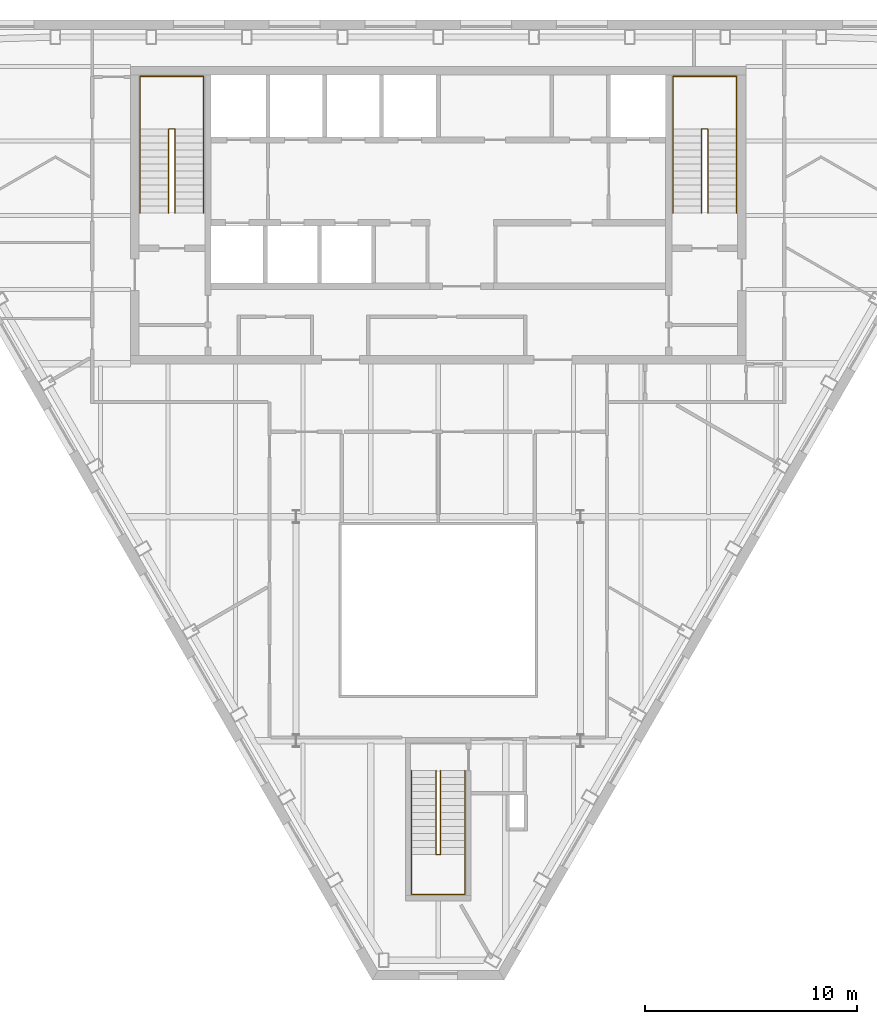
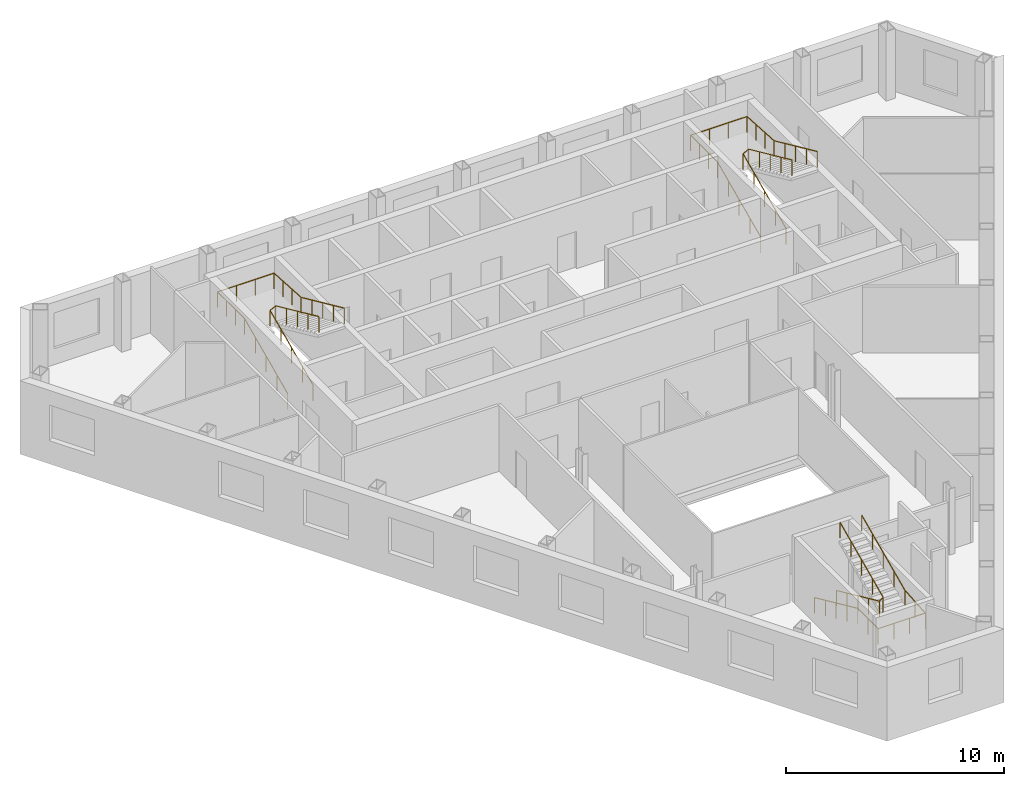
# One storey, part 10 of 10: 6 railings.
"""IFC4 building model written with IfcOpenShell, lengths in metres."""

from ifc_helpers import new_model, si_unit, direction, frame, origin, origin_2d, place, context, subcontext, project, spatial, circle, extrude, material, type_object, element, save


model = new_model("IFC4")

# Units and contexts
model_context = context("Model", 3, precision=1e-05, world=origin(), true_north=direction((0.0, 1.0)))
body_context = subcontext(model_context, "Body", "Model", "MODEL_VIEW")
ifc_project = project(units=[si_unit("LENGTHUNIT", "METRE"), si_unit("AREAUNIT", "SQUARE_METRE"), si_unit("VOLUMEUNIT", "CUBIC_METRE"), si_unit("PLANEANGLEUNIT", "RADIAN"), si_unit("MASSUNIT", "GRAM", prefix="KILO")], contexts=[model_context])

# Site, building, storey
site_placement = place(None, origin())
site = spatial("IfcSite", under=ifc_project, at=site_placement, CompositionType="ELEMENT")
building_placement = place(site_placement, origin())
building = spatial("IfcBuilding", under=site, at=building_placement, Name="Njiva Tower", CompositionType="ELEMENT")
storey_placement = place(building_placement, frame((0.0, 0.0, 253.2)))
storey = spatial("IfcBuildingStorey", under=building, at=storey_placement, Name="L57", CompositionType="ELEMENT", Elevation=253.2)

# Railings
ifc_material = material(Name="Stainless steel", Category="steel")
railing_type = type_object("IfcRailingType", Name="RL1 Stair handrail 900", PredefinedType="HANDRAIL", material=ifc_material)
railing_1_placement = place(storey_placement, frame((-14.05, 11.1, 0.15)))
element("IfcRailing", 1, at=railing_1_placement, inside=storey, type_object=railing_type, Name="Stair A handrail", PredefinedType="HANDRAIL", context=body_context, shape_type="SweptSolid", body=[
    extrude(circle(Radius=0.024, at=origin_2d()), frame((0.0, 0.0, 0.876), z_axis=(0.0, 0.910366477463, 0.413802944301), x_axis=(-1.0, 0.0, 0.0)), (0.0, 0.0, 1.0), 4.3499),
    extrude(circle(Radius=0.024, at=origin_2d()), frame((0.0, 3.96, 2.676), z_axis=(0.0, 1.0, 0.0), x_axis=(-1.0, 0.0, 0.0)), (0.0, 0.0, 1.0), 2.49),
    extrude(circle(Radius=0.024, at=origin_2d()), frame((0.0, 6.45, 2.676), z_axis=(1.0, 0.0, 0.0), x_axis=(0.0, 1.0, 0.0)), (0.0, 0.0, 1.0), 3.0),
    extrude(circle(Radius=0.024, at=origin_2d()), frame((3.0, 6.45, 2.676), z_axis=(0.0, -0.998190436793, 0.060131954024), x_axis=(1.0, 0.0, 0.0)), (0.0, 0.0, 1.0), 2.4945),
    extrude(circle(Radius=0.024, at=origin_2d()), frame((3.0, 3.96, 2.826), z_axis=(0.0, -0.910366477463, 0.413802944301), x_axis=(1.0, 0.0, 0.0)), (0.0, 0.0, 1.0), 4.3499),
    extrude(circle(Radius=0.021, at=origin_2d()), origin(), (0.0, 0.0, 1.0), 0.852),
    extrude(circle(Radius=0.021, at=origin_2d()), frame((0.0, 0.99, 0.45)), (0.0, 0.0, 1.0), 0.852),
    extrude(circle(Radius=0.021, at=origin_2d()), frame((0.0, 1.98, 0.9)), (0.0, 0.0, 1.0), 0.852),
    extrude(circle(Radius=0.021, at=origin_2d()), frame((0.0, 2.97, 1.35)), (0.0, 0.0, 1.0), 0.852),
    extrude(circle(Radius=0.021, at=origin_2d()), frame((0.0, 3.96, 1.8)), (0.0, 0.0, 1.0), 0.852),
    extrude(circle(Radius=0.021, at=origin_2d()), frame((0.0, 4.79, 1.8)), (0.0, 0.0, 1.0), 0.852),
    extrude(circle(Radius=0.021, at=origin_2d()), frame((0.0, 5.62, 1.8)), (0.0, 0.0, 1.0), 0.852),
    extrude(circle(Radius=0.021, at=origin_2d()), frame((0.0, 6.45, 1.8)), (0.0, 0.0, 1.0), 0.852),
    extrude(circle(Radius=0.021, at=origin_2d()), frame((1.0, 6.45, 1.8)), (0.0, 0.0, 1.0), 0.852),
    extrude(circle(Radius=0.021, at=origin_2d()), frame((2.0, 6.45, 1.8)), (0.0, 0.0, 1.0), 0.852),
    extrude(circle(Radius=0.021, at=origin_2d()), frame((3.0, 6.45, 1.8)), (0.0, 0.0, 1.0), 0.852),
    extrude(circle(Radius=0.021, at=origin_2d()), frame((3.0, 5.62, 1.85)), (0.0, 0.0, 1.0), 0.852),
    extrude(circle(Radius=0.021, at=origin_2d()), frame((3.0, 4.79, 1.9)), (0.0, 0.0, 1.0), 0.852),
    extrude(circle(Radius=0.021, at=origin_2d()), frame((3.0, 3.96, 1.95)), (0.0, 0.0, 1.0), 0.852),
    extrude(circle(Radius=0.021, at=origin_2d()), frame((3.0, 2.97, 2.4)), (0.0, 0.0, 1.0), 0.852),
    extrude(circle(Radius=0.021, at=origin_2d()), frame((3.0, 1.98, 2.85)), (0.0, 0.0, 1.0), 0.852),
    extrude(circle(Radius=0.021, at=origin_2d()), frame((3.0, 0.99, 3.3)), (0.0, 0.0, 1.0), 0.852),
    extrude(circle(Radius=0.021, at=origin_2d()), frame((3.0, 0.0, 3.75)), (0.0, 0.0, 1.0), 0.852),
])
railing_2_placement = place(storey_placement, frame((-12.7, 11.1, 0.15)))
element("IfcRailing", 2, at=railing_2_placement, inside=storey, type_object=railing_type, Name="Stair A handrail", PredefinedType="HANDRAIL", context=body_context, shape_type="SweptSolid", body=[
    extrude(circle(Radius=0.024, at=origin_2d()), frame((0.0, 0.0, 0.876), z_axis=(0.0, 0.910366477463, 0.413802944301), x_axis=(-1.0, 0.0, 0.0)), (0.0, 0.0, 1.0), 4.3499),
    extrude(circle(Radius=0.024, at=origin_2d()), frame((0.0, 3.96, 2.676), z_axis=(0.894427191, 0.0, 0.4472135955), x_axis=(0.0, 1.0, 0.0)), (0.0, 0.0, 1.0), 0.3354),
    extrude(circle(Radius=0.024, at=origin_2d()), frame((0.3, 3.96, 2.826), z_axis=(0.0, -0.910366477463, 0.413802944301), x_axis=(1.0, 0.0, 0.0)), (0.0, 0.0, 1.0), 4.3499),
    extrude(circle(Radius=0.021, at=origin_2d()), origin(), (0.0, 0.0, 1.0), 0.852),
    extrude(circle(Radius=0.021, at=origin_2d()), frame((0.0, 0.99, 0.45)), (0.0, 0.0, 1.0), 0.852),
    extrude(circle(Radius=0.021, at=origin_2d()), frame((0.0, 1.98, 0.9)), (0.0, 0.0, 1.0), 0.852),
    extrude(circle(Radius=0.021, at=origin_2d()), frame((0.0, 2.97, 1.35)), (0.0, 0.0, 1.0), 0.852),
    extrude(circle(Radius=0.021, at=origin_2d()), frame((0.0, 3.96, 1.8)), (0.0, 0.0, 1.0), 0.852),
    extrude(circle(Radius=0.021, at=origin_2d()), frame((0.3, 3.96, 1.95)), (0.0, 0.0, 1.0), 0.852),
    extrude(circle(Radius=0.021, at=origin_2d()), frame((0.3, 2.97, 2.4)), (0.0, 0.0, 1.0), 0.852),
    extrude(circle(Radius=0.021, at=origin_2d()), frame((0.3, 1.98, 2.85)), (0.0, 0.0, 1.0), 0.852),
    extrude(circle(Radius=0.021, at=origin_2d()), frame((0.3, 0.99, 3.3)), (0.0, 0.0, 1.0), 0.852),
    extrude(circle(Radius=0.021, at=origin_2d()), frame((0.3, 0.0, 3.75)), (0.0, 0.0, 1.0), 0.852),
])
railing_3_placement = place(storey_placement, frame((11.05, 11.1, 0.15)))
element("IfcRailing", 3, at=railing_3_placement, inside=storey, type_object=railing_type, Name="Stair B handrail", PredefinedType="HANDRAIL", context=body_context, shape_type="SweptSolid", body=[
    extrude(circle(Radius=0.024, at=origin_2d()), frame((0.0, 0.0, 0.876), z_axis=(0.0, 0.910366477463, 0.413802944301), x_axis=(-1.0, 0.0, 0.0)), (0.0, 0.0, 1.0), 4.3499),
    extrude(circle(Radius=0.024, at=origin_2d()), frame((0.0, 3.96, 2.676), z_axis=(0.0, 1.0, 0.0), x_axis=(-1.0, 0.0, 0.0)), (0.0, 0.0, 1.0), 2.49),
    extrude(circle(Radius=0.024, at=origin_2d()), frame((0.0, 6.45, 2.676), z_axis=(1.0, 0.0, 0.0), x_axis=(0.0, 1.0, 0.0)), (0.0, 0.0, 1.0), 3.0),
    extrude(circle(Radius=0.024, at=origin_2d()), frame((3.0, 6.45, 2.676), z_axis=(0.0, -0.998190436793, 0.060131954024), x_axis=(1.0, 0.0, 0.0)), (0.0, 0.0, 1.0), 2.4945),
    extrude(circle(Radius=0.024, at=origin_2d()), frame((3.0, 3.96, 2.826), z_axis=(0.0, -0.910366477463, 0.413802944301), x_axis=(1.0, 0.0, 0.0)), (0.0, 0.0, 1.0), 4.3499),
    extrude(circle(Radius=0.021, at=origin_2d()), origin(), (0.0, 0.0, 1.0), 0.852),
    extrude(circle(Radius=0.021, at=origin_2d()), frame((0.0, 0.99, 0.45)), (0.0, 0.0, 1.0), 0.852),
    extrude(circle(Radius=0.021, at=origin_2d()), frame((0.0, 1.98, 0.9)), (0.0, 0.0, 1.0), 0.852),
    extrude(circle(Radius=0.021, at=origin_2d()), frame((0.0, 2.97, 1.35)), (0.0, 0.0, 1.0), 0.852),
    extrude(circle(Radius=0.021, at=origin_2d()), frame((0.0, 3.96, 1.8)), (0.0, 0.0, 1.0), 0.852),
    extrude(circle(Radius=0.021, at=origin_2d()), frame((0.0, 4.79, 1.8)), (0.0, 0.0, 1.0), 0.852),
    extrude(circle(Radius=0.021, at=origin_2d()), frame((0.0, 5.62, 1.8)), (0.0, 0.0, 1.0), 0.852),
    extrude(circle(Radius=0.021, at=origin_2d()), frame((0.0, 6.45, 1.8)), (0.0, 0.0, 1.0), 0.852),
    extrude(circle(Radius=0.021, at=origin_2d()), frame((1.0, 6.45, 1.8)), (0.0, 0.0, 1.0), 0.852),
    extrude(circle(Radius=0.021, at=origin_2d()), frame((2.0, 6.45, 1.8)), (0.0, 0.0, 1.0), 0.852),
    extrude(circle(Radius=0.021, at=origin_2d()), frame((3.0, 6.45, 1.8)), (0.0, 0.0, 1.0), 0.852),
    extrude(circle(Radius=0.021, at=origin_2d()), frame((3.0, 5.62, 1.85)), (0.0, 0.0, 1.0), 0.852),
    extrude(circle(Radius=0.021, at=origin_2d()), frame((3.0, 4.79, 1.9)), (0.0, 0.0, 1.0), 0.852),
    extrude(circle(Radius=0.021, at=origin_2d()), frame((3.0, 3.96, 1.95)), (0.0, 0.0, 1.0), 0.852),
    extrude(circle(Radius=0.021, at=origin_2d()), frame((3.0, 2.97, 2.4)), (0.0, 0.0, 1.0), 0.852),
    extrude(circle(Radius=0.021, at=origin_2d()), frame((3.0, 1.98, 2.85)), (0.0, 0.0, 1.0), 0.852),
    extrude(circle(Radius=0.021, at=origin_2d()), frame((3.0, 0.99, 3.3)), (0.0, 0.0, 1.0), 0.852),
    extrude(circle(Radius=0.021, at=origin_2d()), frame((3.0, 0.0, 3.75)), (0.0, 0.0, 1.0), 0.852),
])
railing_4_placement = place(storey_placement, frame((12.4, 11.1, 0.15)))
element("IfcRailing", 4, at=railing_4_placement, inside=storey, type_object=railing_type, Name="Stair B handrail", PredefinedType="HANDRAIL", context=body_context, shape_type="SweptSolid", body=[
    extrude(circle(Radius=0.024, at=origin_2d()), frame((0.0, 0.0, 0.876), z_axis=(0.0, 0.910366477463, 0.413802944301), x_axis=(-1.0, 0.0, 0.0)), (0.0, 0.0, 1.0), 4.3499),
    extrude(circle(Radius=0.024, at=origin_2d()), frame((0.0, 3.96, 2.676), z_axis=(0.894427191, 0.0, 0.4472135955), x_axis=(0.0, 1.0, 0.0)), (0.0, 0.0, 1.0), 0.3354),
    extrude(circle(Radius=0.024, at=origin_2d()), frame((0.3, 3.96, 2.826), z_axis=(0.0, -0.910366477463, 0.413802944301), x_axis=(1.0, 0.0, 0.0)), (0.0, 0.0, 1.0), 4.3499),
    extrude(circle(Radius=0.021, at=origin_2d()), origin(), (0.0, 0.0, 1.0), 0.852),
    extrude(circle(Radius=0.021, at=origin_2d()), frame((0.0, 0.99, 0.45)), (0.0, 0.0, 1.0), 0.852),
    extrude(circle(Radius=0.021, at=origin_2d()), frame((0.0, 1.98, 0.9)), (0.0, 0.0, 1.0), 0.852),
    extrude(circle(Radius=0.021, at=origin_2d()), frame((0.0, 2.97, 1.35)), (0.0, 0.0, 1.0), 0.852),
    extrude(circle(Radius=0.021, at=origin_2d()), frame((0.0, 3.96, 1.8)), (0.0, 0.0, 1.0), 0.852),
    extrude(circle(Radius=0.021, at=origin_2d()), frame((0.3, 3.96, 1.95)), (0.0, 0.0, 1.0), 0.852),
    extrude(circle(Radius=0.021, at=origin_2d()), frame((0.3, 2.97, 2.4)), (0.0, 0.0, 1.0), 0.852),
    extrude(circle(Radius=0.021, at=origin_2d()), frame((0.3, 1.98, 2.85)), (0.0, 0.0, 1.0), 0.852),
    extrude(circle(Radius=0.021, at=origin_2d()), frame((0.3, 0.99, 3.3)), (0.0, 0.0, 1.0), 0.852),
    extrude(circle(Radius=0.021, at=origin_2d()), frame((0.3, 0.0, 3.75)), (0.0, 0.0, 1.0), 0.852),
])
railing_5_placement = place(storey_placement, frame((-1.25, -15.16, 0.15)))
element("IfcRailing", 5, at=railing_5_placement, inside=storey, type_object=railing_type, Name="Stair C handrail", PredefinedType="HANDRAIL", context=body_context, shape_type="SweptSolid", body=[
    extrude(circle(Radius=0.024, at=origin_2d()), frame((0.0, 0.0, 0.876), z_axis=(0.0, -0.910366477463, 0.413802944301), x_axis=(1.0, 0.0, 0.0)), (0.0, 0.0, 1.0), 4.3499),
    extrude(circle(Radius=0.024, at=origin_2d()), frame((0.0, -3.96, 2.676), z_axis=(0.0, -1.0, 0.0), x_axis=(1.0, 0.0, 0.0)), (0.0, 0.0, 1.0), 1.88),
    extrude(circle(Radius=0.024, at=origin_2d()), frame((0.0, -5.84, 2.676), z_axis=(1.0, 0.0, 0.0), x_axis=(0.0, 1.0, 0.0)), (0.0, 0.0, 1.0), 2.5),
    extrude(circle(Radius=0.024, at=origin_2d()), frame((2.5, -5.84, 2.676), z_axis=(0.0, 0.996832115713, 0.079534477318), x_axis=(-1.0, 0.0, 0.0)), (0.0, 0.0, 1.0), 1.886),
    extrude(circle(Radius=0.024, at=origin_2d()), frame((2.5, -3.96, 2.826), z_axis=(0.0, 0.910366477463, 0.413802944301), x_axis=(-1.0, 0.0, 0.0)), (0.0, 0.0, 1.0), 4.3499),
    extrude(circle(Radius=0.021, at=origin_2d()), origin(), (0.0, 0.0, 1.0), 0.852),
    extrude(circle(Radius=0.021, at=origin_2d()), frame((0.0, -0.99, 0.45)), (0.0, 0.0, 1.0), 0.852),
    extrude(circle(Radius=0.021, at=origin_2d()), frame((0.0, -1.98, 0.9)), (0.0, 0.0, 1.0), 0.852),
    extrude(circle(Radius=0.021, at=origin_2d()), frame((0.0, -2.97, 1.35)), (0.0, 0.0, 1.0), 0.852),
    extrude(circle(Radius=0.021, at=origin_2d()), frame((0.0, -3.96, 1.8)), (0.0, 0.0, 1.0), 0.852),
    extrude(circle(Radius=0.021, at=origin_2d()), frame((0.0, -4.9, 1.8)), (0.0, 0.0, 1.0), 0.852),
    extrude(circle(Radius=0.021, at=origin_2d()), frame((0.0, -5.84, 1.8)), (0.0, 0.0, 1.0), 0.852),
    extrude(circle(Radius=0.021, at=origin_2d()), frame((0.8333, -5.84, 1.8)), (0.0, 0.0, 1.0), 0.852),
    extrude(circle(Radius=0.021, at=origin_2d()), frame((1.6667, -5.84, 1.8)), (0.0, 0.0, 1.0), 0.852),
    extrude(circle(Radius=0.021, at=origin_2d()), frame((2.5, -5.84, 1.8)), (0.0, 0.0, 1.0), 0.852),
    extrude(circle(Radius=0.021, at=origin_2d()), frame((2.5, -4.9, 1.875)), (0.0, 0.0, 1.0), 0.852),
    extrude(circle(Radius=0.021, at=origin_2d()), frame((2.5, -3.96, 1.95)), (0.0, 0.0, 1.0), 0.852),
    extrude(circle(Radius=0.021, at=origin_2d()), frame((2.5, -2.97, 2.4)), (0.0, 0.0, 1.0), 0.852),
    extrude(circle(Radius=0.021, at=origin_2d()), frame((2.5, -1.98, 2.85)), (0.0, 0.0, 1.0), 0.852),
    extrude(circle(Radius=0.021, at=origin_2d()), frame((2.5, -0.99, 3.3)), (0.0, 0.0, 1.0), 0.852),
    extrude(circle(Radius=0.021, at=origin_2d()), frame((2.5, 0.0, 3.75)), (0.0, 0.0, 1.0), 0.852),
])
railing_6_placement = place(storey_placement, frame((-0.1, -15.16, 0.15)))
element("IfcRailing", 6, at=railing_6_placement, inside=storey, type_object=railing_type, Name="Stair C handrail", PredefinedType="HANDRAIL", context=body_context, shape_type="SweptSolid", body=[
    extrude(circle(Radius=0.024, at=origin_2d()), frame((0.0, 0.0, 0.876), z_axis=(0.0, -0.910366477463, 0.413802944301), x_axis=(1.0, 0.0, 0.0)), (0.0, 0.0, 1.0), 4.3499),
    extrude(circle(Radius=0.024, at=origin_2d()), frame((0.0, -3.96, 2.676), z_axis=(0.8, 0.0, 0.6), x_axis=(0.0, 1.0, 0.0)), (0.0, 0.0, 1.0), 0.25),
    extrude(circle(Radius=0.024, at=origin_2d()), frame((0.2, -3.96, 2.826), z_axis=(0.0, 0.910366477463, 0.413802944301), x_axis=(-1.0, 0.0, 0.0)), (0.0, 0.0, 1.0), 4.3499),
    extrude(circle(Radius=0.021, at=origin_2d()), origin(), (0.0, 0.0, 1.0), 0.852),
    extrude(circle(Radius=0.021, at=origin_2d()), frame((0.0, -0.99, 0.45)), (0.0, 0.0, 1.0), 0.852),
    extrude(circle(Radius=0.021, at=origin_2d()), frame((0.0, -1.98, 0.9)), (0.0, 0.0, 1.0), 0.852),
    extrude(circle(Radius=0.021, at=origin_2d()), frame((0.0, -2.97, 1.35)), (0.0, 0.0, 1.0), 0.852),
    extrude(circle(Radius=0.021, at=origin_2d()), frame((0.0, -3.96, 1.8)), (0.0, 0.0, 1.0), 0.852),
    extrude(circle(Radius=0.021, at=origin_2d()), frame((0.2, -3.96, 1.95)), (0.0, 0.0, 1.0), 0.852),
    extrude(circle(Radius=0.021, at=origin_2d()), frame((0.2, -2.97, 2.4)), (0.0, 0.0, 1.0), 0.852),
    extrude(circle(Radius=0.021, at=origin_2d()), frame((0.2, -1.98, 2.85)), (0.0, 0.0, 1.0), 0.852),
    extrude(circle(Radius=0.021, at=origin_2d()), frame((0.2, -0.99, 3.3)), (0.0, 0.0, 1.0), 0.852),
    extrude(circle(Radius=0.021, at=origin_2d()), frame((0.2, 0.0, 3.75)), (0.0, 0.0, 1.0), 0.852),
])

save(model, "model.ifc")
